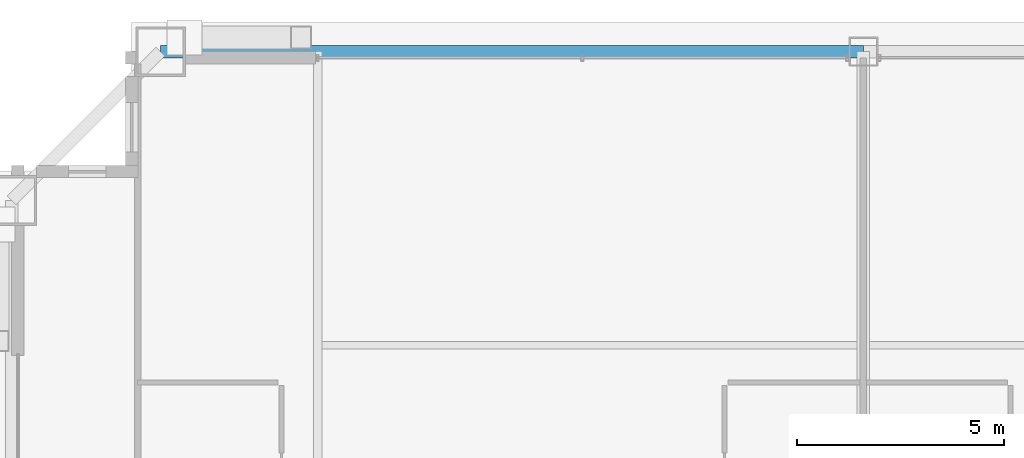
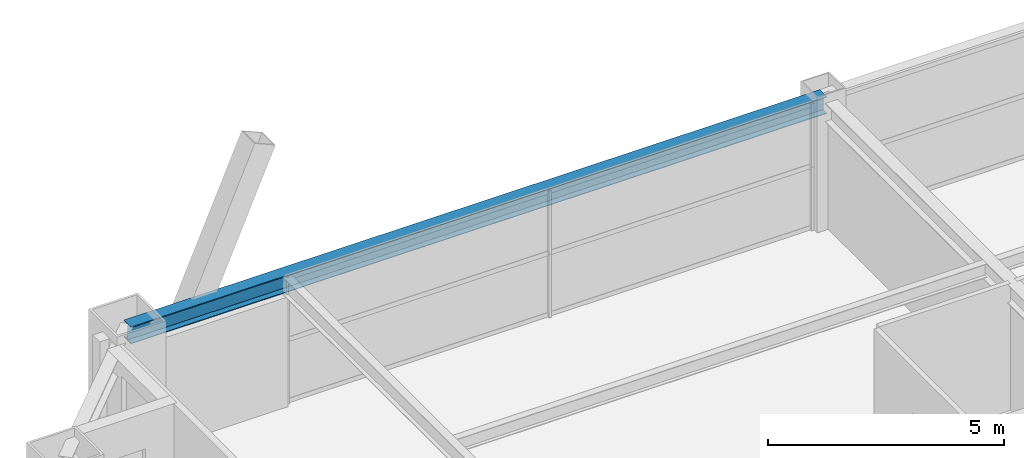
# One storey, part 24 of 35: 1 beam.
"""IFC4 building model written with IfcOpenShell, lengths in metres."""

from ifc_helpers import new_model, si_unit, direction, frame, origin, origin_2d, place, context, subcontext, project, spatial, i_section, extrude, source, transform, mapped, material, material_profile, profile_set, type_object, element, save


model = new_model("IFC4")

# Units and contexts
model_context = context("Model", 3, precision=1e-05, world=origin(), true_north=direction((0.0, 1.0)))
body_context = subcontext(model_context, "Body", "Model", "MODEL_VIEW")
ifc_project = project(units=[si_unit("LENGTHUNIT", "METRE"), si_unit("AREAUNIT", "SQUARE_METRE"), si_unit("VOLUMEUNIT", "CUBIC_METRE"), si_unit("PLANEANGLEUNIT", "RADIAN"), si_unit("MASSUNIT", "GRAM", prefix="KILO"), si_unit("THERMODYNAMICTEMPERATUREUNIT", "KELVIN"), si_unit("POWERUNIT", "WATT")], contexts=[model_context])

# Site, building, storey
site_placement = place(None, origin())
site = spatial("IfcSite", under=ifc_project, at=site_placement, CompositionType="ELEMENT")
building_placement = place(site_placement, origin())
building = spatial("IfcBuilding", under=site, at=building_placement, Name="Yuzanri Waterfront Tower", CompositionType="ELEMENT")
storey_placement = place(building_placement, frame((0.0, 0.0, 227.60009765625)))
storey = spatial("IfcBuildingStorey", under=building, at=storey_placement, Name="L60", CompositionType="ELEMENT", Elevation=227.60009765625)

# Beam
ifc_material = material(Name="Steel Q355B", Category="steel")
ifc_material_profile = material_profile(ifc_material, i_section(OverallWidth=0.300048828125, OverallDepth=0.43994140625, WebThickness=0.010986328125, FlangeThickness=0.01806640625, at=origin_2d()), Name="HM 440x300x11x18")
ifc_profile_set = profile_set([ifc_material_profile], Name="Steel Q355B")
beam_type = type_object("IfcBeamType", Name="Perimeter Spandrel Q355B HM 440x300", PredefinedType="SPANDREL", material=ifc_profile_set)
shared_shape = source(origin(), body_context, "Body", "SweptSolid", [
    extrude(i_section(OverallWidth=0.300048828125, OverallDepth=0.43994140625, WebThickness=0.010986328125, FlangeThickness=0.01806640625, at=origin_2d()), origin(), (0.0, 0.0, 1.0), 17.0),
])
beam_placement = place(storey_placement, frame((37.0, 46.39990234375, 3.059814453125), z_axis=(-1.0, 0.0, 0.0), x_axis=(0.0, -1.0, 0.0)))
element("IfcBeam", 1, at=beam_placement, inside=storey, type_object=beam_type, Name="L60 Perimeter Spandrel N2-N1", PredefinedType="SPANDREL", context=body_context, shape_type="MappedRepresentation", body=[
    mapped(shared_shape, transform((0.0, 0.0, 0.0), scale=1.0)),
])

save(model, "model.ifc")
